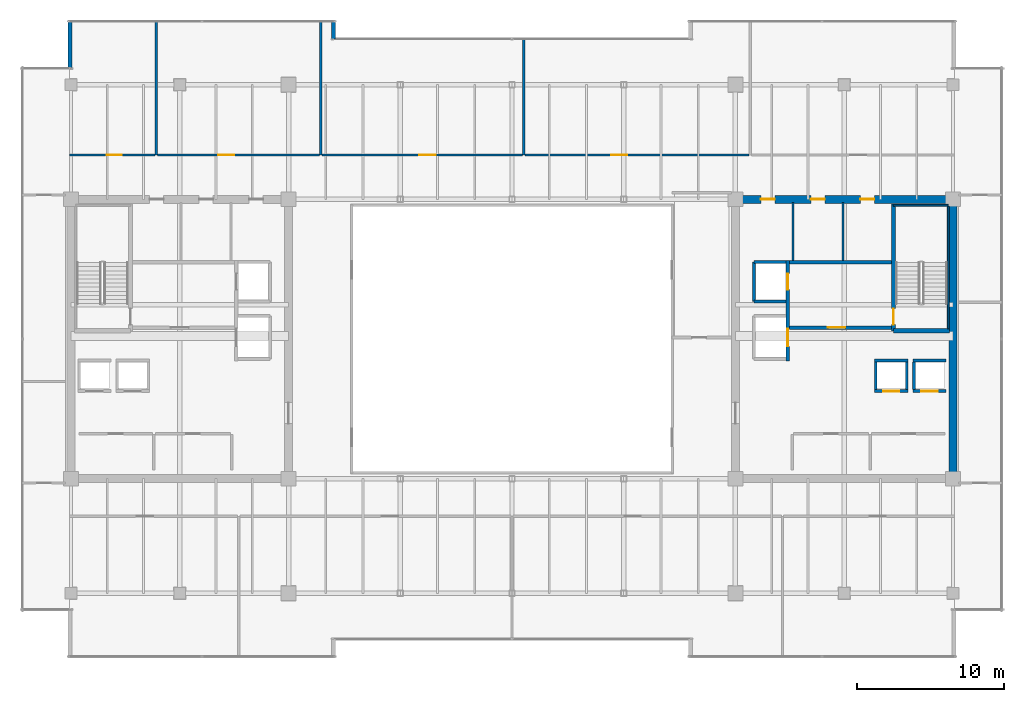
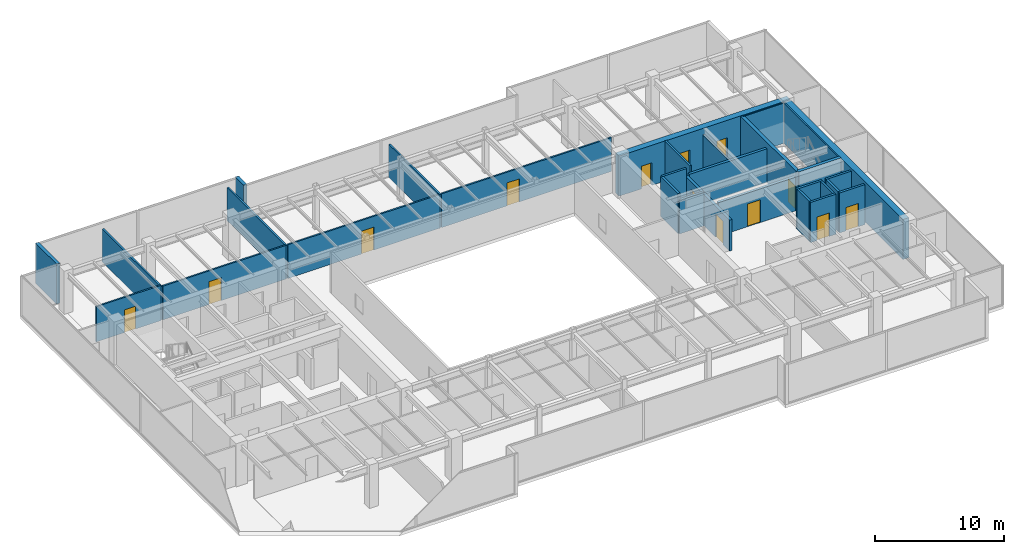
# One storey, part 30 of 36: 30 walls, 13 doors, 13 openings.
"""IFC4 building model written with IfcOpenShell, lengths in metres."""

from ifc_helpers import new_model, si_unit, direction, frame, frame_2d, origin, place, context, subcontext, project, spatial, rectangle, extrude, source, transform, mapped, material, layer, layer_set, type_object, type_shapes, element, fill, save


model = new_model("IFC4")

# Units and contexts
model_context = context("Model", 3, precision=1e-05, world=origin(), true_north=direction((0.0, 1.0)))
body_context = subcontext(model_context, "Body", "Model", "MODEL_VIEW")
ifc_project = project(units=[si_unit("LENGTHUNIT", "METRE"), si_unit("AREAUNIT", "SQUARE_METRE"), si_unit("VOLUMEUNIT", "CUBIC_METRE"), si_unit("PLANEANGLEUNIT", "RADIAN"), si_unit("MASSUNIT", "GRAM", prefix="KILO")], contexts=[model_context])

# Site, building, storey
site_placement = place(None, origin())
site = spatial("IfcSite", under=ifc_project, at=site_placement, CompositionType="ELEMENT")
building_placement = place(site_placement, origin())
building = spatial("IfcBuilding", under=site, at=building_placement, Name="Haelvirn Gate Laboratories", CompositionType="ELEMENT")
storey_placement = place(building_placement, frame((0.0, 0.0, 254.699951171875)))
storey = spatial("IfcBuildingStorey", under=building, at=storey_placement, Name="L61", CompositionType="ELEMENT", Elevation=254.699951171875)

# Walls
ifc_material_1 = material(Name="Thermally-broken bronze aluminium rainscreen & mineral wool", Category="aluminium")
ifc_layer_1 = layer(ifc_material_1, 0.280029296875, Name="EW-TERR-280")
ifc_layer_set_1 = layer_set([ifc_layer_1], Name="Thermally-broken bronze aluminium rainscreen & mineral wool")
wall_type_1 = type_object("IfcWallType", Name="EW-TERR-280", PredefinedType="STANDARD", material=ifc_layer_set_1)
wall_1_placement = place(storey_placement, frame((25.260009765625, 44.70703125, 0.0), z_axis=(0.0, 0.0, 1.0), x_axis=(0.0, 1.0, 0.0)))
element("IfcWall", 1, at=wall_1_placement, inside=storey, type_object=wall_type_1, Name="L61 Atrium Recess Bronze Return Wall 13", PredefinedType="STANDARD", context=body_context, shape_type="SweptSolid", body=[
    extrude(rectangle(XDim=1.29296875, YDim=0.280029296875, at=frame_2d((0.646484375, 0.0))), origin(), (0.0, 0.0, 1.0), 3.800048828125),
])
wall_2_placement = place(storey_placement, frame((7.340087890625, 46.0, 0.0), z_axis=(0.0, 0.0, 1.0), x_axis=(0.0, -1.0, 0.0)))
element("IfcWall", 2, at=wall_2_placement, inside=storey, type_object=wall_type_1, Name="L61 Atrium Recess Bronze Return Wall 15", PredefinedType="STANDARD", context=body_context, shape_type="SweptSolid", body=[
    extrude(rectangle(XDim=3.2880859375, YDim=0.280029296875, at=frame_2d((1.64404296875, 0.0))), origin(), (0.0, 0.0, 1.0), 3.800048828125),
])
ifc_material_2 = material(Name="Double-layer acoustic gypsum laboratory partition", Category="gypsum")
ifc_layer_2 = layer(ifc_material_2, 0.159912109375, Name="IW-ACOUST-160")
ifc_layer_set_2 = layer_set([ifc_layer_2], Name="Double-layer acoustic gypsum laboratory partition")
wall_type_2 = type_object("IfcWallType", Name="IW-ACOUST-160", PredefinedType="PARTITIONING", material=ifc_layer_set_2)
for number, where, z_axis, x_axis, name in (
    (3, (13.199951171875, 36.81005859375, 0.0), (0.0, 0.0, 1.0), (0.0, 1.0, 0.0), "L61 Interior Wall IW-L61-NDIV-01"),
    (4, (24.39990234375, 36.81005859375, 0.0), (0.0, 0.0, 1.0), (0.0, 1.0, 0.0), "L61 Interior Wall IW-L61-NDIV-02"),
):
    element("IfcWall", number, at=place(storey_placement, frame(where, z_axis=z_axis, x_axis=x_axis)), inside=storey, type_object=wall_type_2, Name=name, PredefinedType="PARTITIONING", context=body_context, shape_type="SweptSolid", body=[
        extrude(rectangle(XDim=9.079833984375, YDim=0.159912109375, at=frame_2d((4.5400390625, 0.0))), origin(), (0.0, 0.0, 1.0), 3.135009765625),
    ])
wall_3_placement = place(storey_placement, frame((38.199951171875, 36.81005859375, 0.0), z_axis=(0.0, 0.0, 1.0), x_axis=(0.0, 1.0, 0.0)))
element("IfcWall", 5, at=wall_3_placement, inside=storey, type_object=wall_type_2, Name="L61 Interior Wall IW-L61-NDIV-03", PredefinedType="PARTITIONING", context=body_context, shape_type="SweptSolid", body=[
    extrude(rectangle(XDim=7.8798828125, YDim=0.159912109375, at=frame_2d((3.93994140625, 0.0))), origin(), (0.0, 0.0, 1.0), 3.135009765625),
])

# Wall, opening, door
ifc_material_3 = material(Name="Acoustic mineral-wool gypsum board partition", Category="gypsum")
ifc_layer_3 = layer(ifc_material_3, 0.139892578125, Name="IW-PART-140")
ifc_layer_set_3 = layer_set([ifc_layer_3], Name="Acoustic mineral-wool gypsum board partition")
wall_type_3 = type_object("IfcWallType", Name="IW-PART-140", PredefinedType="PARTITIONING", material=ifc_layer_set_3)
wall_4_placement = place(storey_placement, frame((7.31005859375, 36.81005859375, 0.0), z_axis=(0.0, 0.0, 1.0), x_axis=(1.0, 0.0, 0.0)))
wall_4 = element("IfcWall", 6, at=wall_4_placement, inside=storey, type_object=wall_type_3, Name="L61 Interior Wall IW-L61-NCORR-01", PredefinedType="PARTITIONING", context=body_context, shape_type="SweptSolid", body=[
    extrude(rectangle(XDim=5.81005859375, YDim=0.139892578125, at=frame_2d((2.905029296875, 0.0))), origin(), (0.0, 0.0, 1.0), 3.3349609375),
])
opening_1_placement = place(wall_4_placement, frame((2.5283203125, 0.0, 0.0)))
opening_1 = element("IfcOpeningElement", 7, at=opening_1_placement, cuts=wall_4, Name="Opening D2", PredefinedType="OPENING", context=body_context, shape_type="SweptSolid", body=[
    extrude(rectangle(XDim=1.0, YDim=2.14990234375, at=frame_2d((0.5, 1.074951171875))), frame((0.0, 0.080078125, 0.0), z_axis=(0.0, -1.0, 0.0), x_axis=(1.0, 0.0, 0.0)), (0.0, 0.0, 1.0), 0.159912109375),
])
ifc_material_4 = material(Name="Acoustic solid-core timber suite door", Category="wood")
door_type_1 = type_object("IfcDoorType", Name="DR-INT-1000", OperationType="NOTDEFINED", PredefinedType="DOOR", material=ifc_material_4)
shared_shape_1 = source(origin(), body_context, "Body", "SweptSolid", [
    extrude(rectangle(XDim=1.0, YDim=2.14990234375, at=frame_2d((0.5, 1.074951171875))), frame((0.0, 0.02490234375, 0.0), z_axis=(0.0, -1.0, 0.0), x_axis=(1.0, 0.0, 0.0)), (0.0, 0.0, 1.0), 0.050048828125),
])
type_shapes(door_type_1, [shared_shape_1])
door_1_placement = place(opening_1_placement, origin())
door_1 = element("IfcDoor", 8, at=door_1_placement, inside=storey, type_object=door_type_1, Name="L61 Translational Data Office Door N1", OperationType="SINGLE_SWING_LEFT", OverallHeight=2.14990234375, OverallWidth=1.0, PredefinedType="DOOR", context=body_context, shape_type="MappedRepresentation", body=[
    mapped(shared_shape_1, transform((0.0, 0.0, 0.0), scale=1.0)),
])
fill(opening_1, door_1)

wall_5_placement = place(storey_placement, frame((13.280029296875, 36.81005859375, 0.0), z_axis=(0.0, 0.0, 1.0), x_axis=(1.0, 0.0, 0.0)))
wall_5 = element("IfcWall", 9, at=wall_5_placement, inside=storey, type_object=wall_type_3, Name="L61 Interior Wall IW-L61-NCORR-02", PredefinedType="PARTITIONING", context=body_context, shape_type="SweptSolid", body=[
    extrude(rectangle(XDim=11.0400390625, YDim=0.139892578125, at=frame_2d((5.52001953125, 0.0))), origin(), (0.0, 0.0, 1.0), 3.197021484375),
])
opening_2_placement = place(wall_5_placement, frame((4.138427734375, 0.0, 0.0)))
opening_2 = element("IfcOpeningElement", 10, at=opening_2_placement, cuts=wall_5, Name="Opening D1", PredefinedType="OPENING", context=body_context, shape_type="SweptSolid", body=[
    extrude(rectangle(XDim=1.10009765625, YDim=2.179931640625, at=frame_2d((0.550048828125, 1.08984375))), frame((0.0, 0.080078125, 0.0), z_axis=(0.0, -1.0, 0.0), x_axis=(1.0, 0.0, 0.0)), (0.0, 0.0, 1.0), 0.159912109375),
])
ifc_material_5 = material(Name="Vision-panel acoustic solid-core timber lab door", Category="wood")
door_type_2 = type_object("IfcDoorType", Name="DR-LAB-1100", OperationType="NOTDEFINED", PredefinedType="DOOR", material=ifc_material_5)
shared_shape_2 = source(origin(), body_context, "Body", "SweptSolid", [
    extrude(rectangle(XDim=1.10009765625, YDim=2.179931640625, at=frame_2d((0.550048828125, 1.08984375))), frame((0.0, 0.02490234375, 0.0), z_axis=(0.0, -1.0, 0.0), x_axis=(1.0, 0.0, 0.0)), (0.0, 0.0, 1.0), 0.050048828125),
])
type_shapes(door_type_2, [shared_shape_2])
door_2_placement = place(opening_2_placement, origin())
door_2 = element("IfcDoor", 11, at=door_2_placement, inside=storey, type_object=door_type_2, Name="L61 Computational Write-Up Office Door N2", OperationType="SINGLE_SWING_RIGHT", OverallHeight=2.179931640625, OverallWidth=1.10009765625, PredefinedType="DOOR", context=body_context, shape_type="MappedRepresentation", body=[
    mapped(shared_shape_2, transform((0.0, 0.0, 0.0), scale=1.0)),
])
fill(opening_2, door_2)

wall_6_placement = place(storey_placement, frame((24.47998046875, 36.81005859375, 0.0), z_axis=(0.0, 0.0, 1.0), x_axis=(1.0, 0.0, 0.0)))
wall_6 = element("IfcWall", 12, at=wall_6_placement, inside=storey, type_object=wall_type_3, Name="L61 Interior Wall IW-L61-NCORR-03", PredefinedType="PARTITIONING", context=body_context, shape_type="SweptSolid", body=[
    extrude(rectangle(XDim=13.64013671875, YDim=0.139892578125, at=frame_2d((6.820068359375, 0.0))), origin(), (0.0, 0.0, 1.0), 3.197021484375),
])
opening_3_placement = place(wall_6_placement, frame((6.625244140625, 0.0, 0.0)))
opening_3 = element("IfcOpeningElement", 13, at=opening_3_placement, cuts=wall_6, Name="Opening D1", PredefinedType="OPENING", context=body_context, shape_type="SweptSolid", body=[
    extrude(rectangle(XDim=1.10009765625, YDim=2.179931640625, at=frame_2d((0.550048828125, 1.08984375))), frame((0.0, 0.080078125, 0.0), z_axis=(0.0, -1.0, 0.0), x_axis=(1.0, 0.0, 0.0)), (0.0, 0.0, 1.0), 0.159912109375),
])
door_3_placement = place(opening_3_placement, origin())
door_3 = element("IfcDoor", 14, at=door_3_placement, inside=storey, type_object=door_type_2, Name="L61 Colloquium Conference Room Door N3", OperationType="SINGLE_SWING_LEFT", OverallHeight=2.179931640625, OverallWidth=1.10009765625, PredefinedType="DOOR", context=body_context, shape_type="MappedRepresentation", body=[
    mapped(shared_shape_2, transform((0.0, 0.0, 0.0), scale=1.0)),
])
fill(opening_3, door_3)

wall_7_placement = place(storey_placement, frame((38.280029296875, 36.81005859375, 0.0), z_axis=(0.0, 0.0, 1.0), x_axis=(1.0, 0.0, 0.0)))
wall_7 = element("IfcWall", 15, at=wall_7_placement, inside=storey, type_object=wall_type_3, Name="L61 Interior Wall IW-L61-NCORR-04", PredefinedType="PARTITIONING", context=body_context, shape_type="SweptSolid", body=[
    extrude(rectangle(XDim=15.239990234375, YDim=0.139892578125, at=frame_2d((7.6201171875, 0.0))), origin(), (0.0, 0.0, 1.0), 3.197021484375),
])
opening_4_placement = place(wall_7_placement, frame((5.8603515625, 0.0, 0.0)))
opening_4 = element("IfcOpeningElement", 16, at=opening_4_placement, cuts=wall_7, Name="Opening D1", PredefinedType="OPENING", context=body_context, shape_type="SweptSolid", body=[
    extrude(rectangle(XDim=1.10009765625, YDim=2.179931640625, at=frame_2d((0.550048828125, 1.08984375))), frame((0.0, 0.080078125, 0.0), z_axis=(0.0, -1.0, 0.0), x_axis=(1.0, 0.0, 0.0)), (0.0, 0.0, 1.0), 0.159912109375),
])
door_4_placement = place(opening_4_placement, origin())
door_4 = element("IfcDoor", 17, at=door_4_placement, inside=storey, type_object=door_type_2, Name="L61 Protocol Briefing Training Room Door N4", OperationType="SINGLE_SWING_RIGHT", OverallHeight=2.179931640625, OverallWidth=1.10009765625, PredefinedType="DOOR", context=body_context, shape_type="MappedRepresentation", body=[
    mapped(shared_shape_2, transform((0.0, 0.0, 0.0), scale=1.0)),
])
fill(opening_4, door_4)

# Walls
ifc_material_6 = material(Name="Cement-board restroom plumbing chase wall", Category="gypsum")
ifc_layer_4 = layer(ifc_material_6, 0.155029296875, Name="IW-PLUMB-160")
ifc_layer_set_4 = layer_set([ifc_layer_4], Name="Cement-board restroom plumbing chase wall")
wall_type_4 = type_object("IfcWallType", Name="IW-PLUMB-160", PredefinedType="PLUMBINGWALL", material=ifc_layer_set_4)
wall_8_placement = place(storey_placement, frame((59.909912109375, 29.64990234375, 0.0), z_axis=(0.0, 0.0, 1.0), x_axis=(0.0, 1.0, 0.0)))
element("IfcWall", 18, at=wall_8_placement, inside=storey, type_object=wall_type_4, Name="L61 Interior Wall IW-L61-E-CDIV-1", PredefinedType="PLUMBINGWALL", context=body_context, shape_type="SweptSolid", body=[
    extrude(rectangle(XDim=3.93017578125, YDim=0.155029296875, at=frame_2d((1.965087890625, 0.0))), origin(), (0.0, 0.0, 1.0), 3.197021484375),
])
wall_9_placement = place(storey_placement, frame((56.510009765625, 29.64990234375, 0.0), z_axis=(0.0, 0.0, 1.0), x_axis=(0.0, 1.0, 0.0)))
element("IfcWall", 19, at=wall_9_placement, inside=storey, type_object=wall_type_4, Name="L61 Interior Wall IW-L61-E-CDIV-2", PredefinedType="PLUMBINGWALL", context=body_context, shape_type="SweptSolid", body=[
    extrude(rectangle(XDim=3.93017578125, YDim=0.155029296875, at=frame_2d((1.965087890625, 0.0))), origin(), (0.0, 0.0, 1.0), 3.800048828125),
])
ifc_material_7 = material(Name="Concrete C40/50", Category="concrete")
ifc_layer_5 = layer(ifc_material_7, 0.179931640625, Name="IW-SHAFT-180")
ifc_layer_set_5 = layer_set([ifc_layer_5], Name="Concrete C40/50")
wall_type_5 = type_object("IfcWallType", Name="IW-SHAFT-180", PredefinedType="SOLIDWALL", material=ifc_layer_set_5)
for number, where, z_axis, x_axis, name in (
    (20, (64.75, 20.85009765625, 0.0), (0.0, 0.0, 1.0), (0.0, 1.0, 0.0), "L61 Interior Wall IW-L61-PL11-SD"),
    (21, (62.14990234375, 20.85009765625, 0.0), (0.0, 0.0, 1.0), (0.0, 1.0, 0.0), "L61 Interior Wall IW-L61-PL12-SD"),
    (22, (64.25, 20.85009765625, 0.0), (0.0, 0.0, 1.0), (0.0, 1.0, 0.0), "L61 Interior Wall IW-L61-PL12-SDE"),
):
    element("IfcWall", number, at=place(storey_placement, frame(where, z_axis=z_axis, x_axis=x_axis)), inside=storey, type_object=wall_type_5, Name=name, PredefinedType="SOLIDWALL", context=body_context, shape_type="SweptSolid", body=[
        extrude(rectangle(XDim=1.89990234375, YDim=0.179931640625, at=frame_2d((0.949951171875, 0.0))), origin(), (0.0, 0.0, 1.0), 3.800048828125),
    ])

# Wall, opening, door
ifc_layer_6 = layer(ifc_material_7, 0.199951171875, Name="IW-SHAFT-200")
ifc_layer_set_6 = layer_set([ifc_layer_6], Name="Concrete C40/50")
wall_type_6 = type_object("IfcWallType", Name="IW-SHAFT-200", PredefinedType="SOLIDWALL", material=ifc_layer_set_6)
wall_10_placement = place(storey_placement, frame((64.669921875, 20.75, 0.0), z_axis=(0.0, 0.0, 1.0), x_axis=(1.0, 0.0, 0.0)))
wall_10 = element("IfcWall", 23, at=wall_10_placement, inside=storey, type_object=wall_type_6, Name="L61 Interior Wall IW-L61-PL11-FR", PredefinedType="SOLIDWALL", context=body_context, shape_type="SweptSolid", body=[
    extrude(rectangle(XDim=2.260009765625, YDim=0.199951171875, at=frame_2d((1.1298828125, 0.0))), origin(), (0.0, 0.0, 1.0), 3.800048828125),
])
opening_5_placement = place(wall_10_placement, frame((0.580078125, 0.0, 0.0)))
opening_5 = element("IfcOpeningElement", 24, at=opening_5_placement, cuts=wall_10, Name="Opening LD2", PredefinedType="OPENING", context=body_context, shape_type="SweptSolid", body=[
    extrude(rectangle(XDim=1.10009765625, YDim=2.219970703125, at=frame_2d((0.550048828125, 1.10986328125))), frame((0.0, 0.10986328125, 0.0), z_axis=(0.0, -1.0, 0.0), x_axis=(1.0, 0.0, 0.0)), (0.0, 0.0, 1.0), 0.219970703125),
])
ifc_material_8 = material(Name="Bronze stainless 316L sliding lift landing door")
door_type_3 = type_object("IfcDoorType", Name="DR-LD-1100", OperationType="NOTDEFINED", PredefinedType="USERDEFINED", material=ifc_material_8)
shared_shape_3 = source(origin(), body_context, "Body", "SweptSolid", [
    extrude(rectangle(XDim=1.10009765625, YDim=2.219970703125, at=frame_2d((0.550048828125, 1.10986328125))), frame((0.0, 0.02490234375, 0.0), z_axis=(0.0, -1.0, 0.0), x_axis=(1.0, 0.0, 0.0)), (0.0, 0.0, 1.0), 0.050048828125),
])
type_shapes(door_type_3, [shared_shape_3])
door_5_placement = place(opening_5_placement, origin())
door_5 = element("IfcDoor", 25, at=door_5_placement, inside=storey, type_object=door_type_3, Name="L61 Passenger Lift PL11 Landing Door", ObjectType="LANDING_DOOR", OperationType="SLIDING_TO_LEFT", OverallHeight=2.219970703125, OverallWidth=1.10009765625, PredefinedType="USERDEFINED", context=body_context, shape_type="MappedRepresentation", body=[
    mapped(shared_shape_3, transform((0.0, 0.0, 0.0), scale=1.0)),
])
fill(opening_5, door_5)

# Wall
wall_11_placement = place(storey_placement, frame((64.669921875, 22.85009765625, 0.0), z_axis=(0.0, 0.0, 1.0), x_axis=(1.0, 0.0, 0.0)))
element("IfcWall", 26, at=wall_11_placement, inside=storey, type_object=wall_type_6, Name="L61 Interior Wall IW-L61-PL11-BK", PredefinedType="SOLIDWALL", context=body_context, shape_type="SweptSolid", body=[
    extrude(rectangle(XDim=2.260009765625, YDim=0.199951171875, at=frame_2d((1.1298828125, 0.0))), origin(), (0.0, 0.0, 1.0), 3.800048828125),
])

# Wall, opening, door
wall_12_placement = place(storey_placement, frame((62.070068359375, 20.75, 0.0), z_axis=(0.0, 0.0, 1.0), x_axis=(1.0, 0.0, 0.0)))
wall_12 = element("IfcWall", 27, at=wall_12_placement, inside=storey, type_object=wall_type_6, Name="L61 Interior Wall IW-L61-PL12-FR", PredefinedType="SOLIDWALL", context=body_context, shape_type="SweptSolid", body=[
    extrude(rectangle(XDim=2.260009765625, YDim=0.199951171875, at=frame_2d((1.1298828125, 0.0))), origin(), (0.0, 0.0, 1.0), 3.800048828125),
])
opening_6_placement = place(wall_12_placement, frame((0.580078125, 0.0, 0.0)))
opening_6 = element("IfcOpeningElement", 28, at=opening_6_placement, cuts=wall_12, Name="Opening LD2", PredefinedType="OPENING", context=body_context, shape_type="SweptSolid", body=[
    extrude(rectangle(XDim=1.10009765625, YDim=2.219970703125, at=frame_2d((0.550048828125, 1.10986328125))), frame((0.0, 0.10986328125, 0.0), z_axis=(0.0, -1.0, 0.0), x_axis=(1.0, 0.0, 0.0)), (0.0, 0.0, 1.0), 0.219970703125),
])
door_6_placement = place(opening_6_placement, origin())
door_6 = element("IfcDoor", 29, at=door_6_placement, inside=storey, type_object=door_type_3, Name="L61 Passenger Lift PL12 Landing Door", ObjectType="LANDING_DOOR", OperationType="SLIDING_TO_RIGHT", OverallHeight=2.219970703125, OverallWidth=1.10009765625, PredefinedType="USERDEFINED", context=body_context, shape_type="MappedRepresentation", body=[
    mapped(shared_shape_3, transform((0.0, 0.0, 0.0), scale=1.0)),
])
fill(opening_6, door_6)

# Walls
wall_13_placement = place(storey_placement, frame((62.070068359375, 22.85009765625, 0.0), z_axis=(0.0, 0.0, 1.0), x_axis=(1.0, 0.0, 0.0)))
element("IfcWall", 30, at=wall_13_placement, inside=storey, type_object=wall_type_6, Name="L61 Interior Wall IW-L61-PL12-BK", PredefinedType="SOLIDWALL", context=body_context, shape_type="SweptSolid", body=[
    extrude(rectangle(XDim=2.260009765625, YDim=0.199951171875, at=frame_2d((1.1298828125, 0.0))), origin(), (0.0, 0.0, 1.0), 3.800048828125),
])
wall_14_placement = place(storey_placement, frame((53.85009765625, 26.85009765625, 0.0), z_axis=(0.0, 0.0, 1.0), x_axis=(0.0, 1.0, 0.0)))
element("IfcWall", 31, at=wall_14_placement, inside=storey, type_object=wall_type_6, Name="L61 Interior Wall IW-L61-FL2-BK", PredefinedType="SOLIDWALL", context=body_context, shape_type="SweptSolid", body=[
    extrude(rectangle(XDim=2.699951171875, YDim=0.199951171875, at=frame_2d((1.35009765625, 0.0))), origin(), (0.0, 0.0, 1.0), 3.800048828125),
])
wall_15_placement = place(storey_placement, frame((53.85009765625, 29.550048828125, 0.0), z_axis=(0.0, 0.0, 1.0), x_axis=(1.0, 0.0, 0.0)))
element("IfcWall", 32, at=wall_15_placement, inside=storey, type_object=wall_type_6, Name="L61 Interior Wall IW-L61-FL2-N", PredefinedType="SOLIDWALL", context=body_context, shape_type="SweptSolid", body=[
    extrude(rectangle(XDim=2.18994140625, YDim=0.199951171875, at=frame_2d((1.094970703125, 0.0))), origin(), (0.0, 0.0, 1.0), 3.800048828125),
])
wall_16_placement = place(storey_placement, frame((53.85009765625, 26.85009765625, 0.0), z_axis=(0.0, 0.0, 1.0), x_axis=(1.0, 0.0, 0.0)))
element("IfcWall", 33, at=wall_16_placement, inside=storey, type_object=wall_type_6, Name="L61 Interior Wall IW-L61-FL2-S", PredefinedType="SOLIDWALL", context=body_context, shape_type="SweptSolid", body=[
    extrude(rectangle(XDim=2.18994140625, YDim=0.199951171875, at=frame_2d((1.094970703125, 0.0))), origin(), (0.0, 0.0, 1.0), 3.197021484375),
])

# Wall, opening, door
ifc_layer_7 = layer(ifc_material_7, 0.239990234375, Name="IW-SHAFT-240")
ifc_layer_set_7 = layer_set([ifc_layer_7], Name="Concrete C40/50")
wall_type_7 = type_object("IfcWallType", Name="IW-SHAFT-240", PredefinedType="SOLIDWALL", material=ifc_layer_set_7)
wall_17_placement = place(storey_placement, frame((56.280029296875, 25.080078125, 0.0), z_axis=(0.0, 0.0, 1.0), x_axis=(1.0, 0.0, 0.0)))
wall_17 = element("IfcWall", 34, at=wall_17_placement, inside=storey, type_object=wall_type_7, Name="L61 Interior Wall IW-L61-E-FF-S", PredefinedType="SOLIDWALL", context=body_context, shape_type="SweptSolid", body=[
    extrude(rectangle(XDim=6.919921875, YDim=0.239990234375, at=frame_2d((3.4599609375, 0.0))), origin(), (0.0, 0.0, 1.0), 3.197021484375),
])
opening_7_placement = place(wall_17_placement, frame((2.60009765625, 0.0, 0.0)))
opening_7 = element("IfcOpeningElement", 35, at=opening_7_placement, cuts=wall_17, Name="Opening FD2", PredefinedType="OPENING", context=body_context, shape_type="SweptSolid", body=[
    extrude(rectangle(XDim=1.199951171875, YDim=2.159912109375, at=frame_2d((0.60009765625, 1.080078125))), frame((0.0, 0.1298828125, 0.0), z_axis=(0.0, -1.0, 0.0), x_axis=(1.0, 0.0, 0.0)), (0.0, 0.0, 1.0), 0.260009765625),
])
ifc_material_9 = material(Name="Fire-rated steel SM355 compartment door", Category="steel")
door_type_4 = type_object("IfcDoorType", Name="DR-FD-1200", OperationType="NOTDEFINED", PredefinedType="DOOR", material=ifc_material_9)
shared_shape_4 = source(origin(), body_context, "Body", "SweptSolid", [
    extrude(rectangle(XDim=1.199951171875, YDim=2.159912109375, at=frame_2d((0.60009765625, 1.080078125))), frame((0.0, 0.02490234375, 0.0), z_axis=(0.0, -1.0, 0.0), x_axis=(1.0, 0.0, 0.0)), (0.0, 0.0, 1.0), 0.050048828125),
])
type_shapes(door_type_4, [shared_shape_4])
door_7_placement = place(opening_7_placement, origin())
door_7 = element("IfcDoor", 36, at=door_7_placement, inside=storey, type_object=door_type_4, Name="L61 East Firefighting Lobby Door", OperationType="SINGLE_SWING_LEFT", OverallHeight=2.159912109375, OverallWidth=1.199951171875, PredefinedType="DOOR", context=body_context, shape_type="MappedRepresentation", body=[
    mapped(shared_shape_4, transform((0.0, 0.0, 0.0), scale=1.0)),
])
fill(opening_7, door_7)

# Wall
wall_18_placement = place(storey_placement, frame((56.280029296875, 29.52001953125, 0.0), z_axis=(0.0, 0.0, 1.0), x_axis=(1.0, 0.0, 0.0)))
element("IfcWall", 37, at=wall_18_placement, inside=storey, type_object=wall_type_7, Name="L61 Interior Wall IW-L61-E-FF-N", PredefinedType="SOLIDWALL", context=body_context, shape_type="SweptSolid", body=[
    extrude(rectangle(XDim=6.919921875, YDim=0.239990234375, at=frame_2d((3.4599609375, 0.0))), origin(), (0.0, 0.0, 1.0), 3.197021484375),
])

# Wall, openings, doors
wall_19_placement = place(storey_placement, frame((56.159912109375, 22.800048828125, 0.0), z_axis=(0.0, 0.0, 1.0), x_axis=(0.0, 1.0, 0.0)))
wall_19 = element("IfcWall", 38, at=wall_19_placement, inside=storey, type_object=wall_type_7, Name="L61 Interior Wall IW-L61-E-FF-E", PredefinedType="SOLIDWALL", context=body_context, shape_type="SweptSolid", body=[
    extrude(rectangle(XDim=6.849853515625, YDim=0.239990234375, at=frame_2d((3.4248046875, 0.0))), origin(), (0.0, 0.0, 1.0), 2.93505859375),
])
opening_8_placement = place(wall_19_placement, frame((4.85009765625, 0.0, 0.0)))
opening_8 = element("IfcOpeningElement", 39, at=opening_8_placement, cuts=wall_19, Name="Opening LD2", PredefinedType="OPENING", context=body_context, shape_type="SweptSolid", body=[
    extrude(rectangle(XDim=1.10009765625, YDim=2.219970703125, at=frame_2d((0.550048828125, 1.10986328125))), frame((0.0, 0.1298828125, 0.0), z_axis=(0.0, -1.0, 0.0), x_axis=(1.0, 0.0, 0.0)), (0.0, 0.0, 1.0), 0.260009765625),
])
opening_9_placement = place(wall_19_placement, frame((1.0, 0.0, 0.0)))
opening_9 = element("IfcOpeningElement", 40, at=opening_9_placement, cuts=wall_19, Name="Opening LD1", PredefinedType="OPENING", context=body_context, shape_type="SweptSolid", body=[
    extrude(rectangle(XDim=1.199951171875, YDim=2.219970703125, at=frame_2d((0.60009765625, 1.10986328125))), frame((0.0, 0.1298828125, 0.0), z_axis=(0.0, -1.0, 0.0), x_axis=(1.0, 0.0, 0.0)), (0.0, 0.0, 1.0), 0.260009765625),
])
door_8_placement = place(opening_8_placement, origin())
door_8 = element("IfcDoor", 41, at=door_8_placement, inside=storey, type_object=door_type_3, Name="L61 Firefighting Lift FL2 Landing Door", ObjectType="LANDING_DOOR", OperationType="SLIDING_TO_RIGHT", OverallHeight=2.219970703125, OverallWidth=1.10009765625, PredefinedType="USERDEFINED", context=body_context, shape_type="MappedRepresentation", body=[
    mapped(shared_shape_3, transform((0.0, 0.0, 0.0), scale=1.0)),
])
fill(opening_8, door_8)
ifc_material_10 = material(Name="Stainless steel 316L sliding goods landing door", Category="steel")
door_type_5 = type_object("IfcDoorType", Name="DR-LD-1200", OperationType="NOTDEFINED", PredefinedType="USERDEFINED", material=ifc_material_10)
shared_shape_5 = source(origin(), body_context, "Body", "SweptSolid", [
    extrude(rectangle(XDim=1.199951171875, YDim=2.219970703125, at=frame_2d((0.60009765625, 1.10986328125))), frame((0.0, 0.02490234375, 0.0), z_axis=(0.0, -1.0, 0.0), x_axis=(1.0, 0.0, 0.0)), (0.0, 0.0, 1.0), 0.050048828125),
])
type_shapes(door_type_5, [shared_shape_5])
door_9_placement = place(opening_9_placement, origin())
door_9 = element("IfcDoor", 42, at=door_9_placement, inside=storey, type_object=door_type_5, Name="L61 Service Lift SL2 Landing Door", ObjectType="LANDING_DOOR", OperationType="SLIDING_TO_LEFT", OverallHeight=2.219970703125, OverallWidth=1.199951171875, PredefinedType="USERDEFINED", context=body_context, shape_type="MappedRepresentation", body=[
    mapped(shared_shape_5, transform((0.0, 0.0, 0.0), scale=1.0)),
])
fill(opening_9, door_9)

ifc_material_11 = material(Name="Concrete C50/60", Category="concrete")
ifc_layer_8 = layer(ifc_material_11, 0.550048828125, Name="SW-CORE-550")
ifc_layer_set_8 = layer_set([ifc_layer_8], Name="Concrete C50/60")
wall_type_8 = type_object("IfcWallType", Name="SW-CORE-550", PredefinedType="SHEAR", material=ifc_layer_set_8)
wall_20_placement = place(storey_placement, frame((52.324951171875, 33.800048828125, 0.0), z_axis=(0.0, 0.0, 1.0), x_axis=(1.0, 0.0, 0.0)))
wall_20 = element("IfcWall", 43, at=wall_20_placement, inside=storey, type_object=wall_type_8, Name="L61 E Core Shear Wall N", PredefinedType="SHEAR", context=body_context, shape_type="SweptSolid", body=[
    extrude(rectangle(XDim=15.35009765625, YDim=0.550048828125, at=frame_2d((7.675048828125, 0.0))), origin(), (0.0, 0.0, 1.0), 3.800048828125),
])
opening_10_placement = place(wall_20_placement, frame((8.77490234375, 0.0, 0.0)))
opening_10 = element("IfcOpeningElement", 44, at=opening_10_placement, cuts=wall_20, Name="Opening FD4", PredefinedType="OPENING", context=body_context, shape_type="SweptSolid", body=[
    extrude(rectangle(XDim=0.949951171875, YDim=2.14990234375, at=frame_2d((0.47509765625, 1.074951171875))), frame((0.0, 0.28515625, 0.0), z_axis=(0.0, -1.0, 0.0), x_axis=(1.0, 0.0, 0.0)), (0.0, 0.0, 1.0), 0.570068359375),
])
opening_11_placement = place(wall_20_placement, frame((5.409912109375, 0.0, 0.0)))
opening_11 = element("IfcOpeningElement", 45, at=opening_11_placement, cuts=wall_20, Name="Opening FD4", PredefinedType="OPENING", context=body_context, shape_type="SweptSolid", body=[
    extrude(rectangle(XDim=0.949951171875, YDim=2.14990234375, at=frame_2d((0.47509765625, 1.074951171875))), frame((0.0, 0.28515625, 0.0), z_axis=(0.0, -1.0, 0.0), x_axis=(1.0, 0.0, 0.0)), (0.0, 0.0, 1.0), 0.570068359375),
])
opening_12_placement = place(wall_20_placement, frame((2.010009765625, 0.0, 0.0)))
opening_12 = element("IfcOpeningElement", 46, at=opening_12_placement, cuts=wall_20, Name="Opening FD4", PredefinedType="OPENING", context=body_context, shape_type="SweptSolid", body=[
    extrude(rectangle(XDim=0.949951171875, YDim=2.14990234375, at=frame_2d((0.47509765625, 1.074951171875))), frame((0.0, 0.28515625, 0.0), z_axis=(0.0, -1.0, 0.0), x_axis=(1.0, 0.0, 0.0)), (0.0, 0.0, 1.0), 0.570068359375),
])
ifc_material_12 = material(Name="Fire-rated steel SM355 core service door", Category="steel")
door_type_6 = type_object("IfcDoorType", Name="DR-FD-950", OperationType="NOTDEFINED", PredefinedType="DOOR", material=ifc_material_12)
shared_shape_6 = source(origin(), body_context, "Body", "SweptSolid", [
    extrude(rectangle(XDim=0.949951171875, YDim=2.14990234375, at=frame_2d((0.47509765625, 1.074951171875))), frame((0.0, 0.02490234375, 0.0), z_axis=(0.0, -1.0, 0.0), x_axis=(1.0, 0.0, 0.0)), (0.0, 0.0, 1.0), 0.050048828125),
])
type_shapes(door_type_6, [shared_shape_6])
door_10_placement = place(opening_10_placement, origin())
door_10 = element("IfcDoor", 47, at=door_10_placement, inside=storey, type_object=door_type_6, Name="L61 Male Restroom Fire Door", OperationType="SINGLE_SWING_RIGHT", OverallHeight=2.14990234375, OverallWidth=0.949951171875, PredefinedType="DOOR", context=body_context, shape_type="MappedRepresentation", body=[
    mapped(shared_shape_6, transform((0.0, 0.0, 0.0), scale=1.0)),
])
fill(opening_10, door_10)
door_11_placement = place(opening_11_placement, origin())
door_11 = element("IfcDoor", 48, at=door_11_placement, inside=storey, type_object=door_type_6, Name="L61 Female Restroom Fire Door", OperationType="SINGLE_SWING_LEFT", OverallHeight=2.14990234375, OverallWidth=0.949951171875, PredefinedType="DOOR", context=body_context, shape_type="MappedRepresentation", body=[
    mapped(shared_shape_6, transform((0.0, 0.0, 0.0), scale=1.0)),
])
fill(opening_11, door_11)
door_12_placement = place(opening_12_placement, origin())
door_12 = element("IfcDoor", 49, at=door_12_placement, inside=storey, type_object=door_type_6, Name="L61 Accessible Restroom Fire Door", OperationType="SINGLE_SWING_RIGHT", OverallHeight=2.14990234375, OverallWidth=0.949951171875, PredefinedType="DOOR", context=body_context, shape_type="MappedRepresentation", body=[
    mapped(shared_shape_6, transform((0.0, 0.0, 0.0), scale=1.0)),
])
fill(opening_12, door_12)

# Walls
wall_21_placement = place(storey_placement, frame((67.39990234375, 15.074951171875, 0.0), z_axis=(0.0, 0.0, 1.0), x_axis=(0.0, 1.0, 0.0)))
element("IfcWall", 50, at=wall_21_placement, inside=storey, type_object=wall_type_8, Name="L61 E Core Shear Wall E", PredefinedType="SHEAR", context=body_context, shape_type="SweptSolid", body=[
    extrude(rectangle(XDim=18.449951171875, YDim=0.550048828125, at=frame_2d((9.22509765625, 0.0))), origin(), (0.0, 0.0, 1.0), 3.800048828125),
])
ifc_layer_9 = layer(ifc_material_11, 0.1201171875, Name="SW-LINER-120")
ifc_layer_set_9 = layer_set([ifc_layer_9], Name="Concrete C50/60")
wall_type_9 = type_object("IfcWallType", Name="SW-LINER-120", PredefinedType="SOLIDWALL", material=ifc_layer_set_9)
wall_22_placement = place(storey_placement, frame((63.35009765625, 33.39990234375, 0.0), z_axis=(0.0, 0.0, 1.0), x_axis=(1.0, 0.0, 0.0)))
element("IfcWall", 51, at=wall_22_placement, inside=storey, type_object=wall_type_9, Name="L61 E Core Stair Shaft Liner Wall N", PredefinedType="SOLIDWALL", context=body_context, shape_type="SweptSolid", body=[
    extrude(rectangle(XDim=3.719970703125, YDim=0.1201171875, at=frame_2d((1.85986328125, 0.0))), origin(), (0.0, 0.0, 1.0), 3.800048828125),
])
wall_23_placement = place(storey_placement, frame((67.070068359375, 25.0, 0.0), z_axis=(0.0, 0.0, 1.0), x_axis=(0.0, 1.0, 0.0)))
element("IfcWall", 52, at=wall_23_placement, inside=storey, type_object=wall_type_9, Name="L61 E Core Stair Shaft Liner Wall OUT", PredefinedType="SOLIDWALL", context=body_context, shape_type="SweptSolid", body=[
    extrude(rectangle(XDim=8.320068359375, YDim=0.1201171875, at=frame_2d((4.16015625, 0.0))), origin(), (0.0, 0.0, 1.0), 3.800048828125),
])

# Wall, opening, door
ifc_layer_10 = layer(ifc_material_11, 0.300048828125, Name="SW-STAIR-300")
ifc_layer_set_10 = layer_set([ifc_layer_10], Name="Concrete C50/60")
wall_type_10 = type_object("IfcWallType", Name="SW-STAIR-300", PredefinedType="SHEAR", material=ifc_layer_set_10)
wall_24_placement = place(storey_placement, frame((63.35009765625, 24.85009765625, 0.0), z_axis=(0.0, 0.0, 1.0), x_axis=(0.0, 1.0, 0.0)))
wall_24 = element("IfcWall", 53, at=wall_24_placement, inside=storey, type_object=wall_type_10, Name="L61 E Core Stair Shaft Structural Wall IN", PredefinedType="SHEAR", context=body_context, shape_type="SweptSolid", body=[
    extrude(rectangle(XDim=8.6298828125, YDim=0.300048828125, at=frame_2d((4.31494140625, 0.0))), origin(), (0.0, 0.0, 1.0), 3.800048828125),
])
opening_13_placement = place(wall_24_placement, frame((0.419921875, 0.0, 0.0)))
opening_13 = element("IfcOpeningElement", 54, at=opening_13_placement, cuts=wall_24, Name="Opening FD3", PredefinedType="OPENING", context=body_context, shape_type="SweptSolid", body=[
    extrude(rectangle(XDim=1.10009765625, YDim=2.14990234375, at=frame_2d((0.550048828125, 1.074951171875))), frame((0.0, 0.16015625, 0.0), z_axis=(0.0, -1.0, 0.0), x_axis=(1.0, 0.0, 0.0)), (0.0, 0.0, 1.0), 0.320068359375),
])
ifc_material_13 = material(Name="Fire-rated steel SM355 escape stair door", Category="steel")
door_type_7 = type_object("IfcDoorType", Name="DR-FD-1100", OperationType="NOTDEFINED", PredefinedType="DOOR", material=ifc_material_13)
shared_shape_7 = source(origin(), body_context, "Body", "SweptSolid", [
    extrude(rectangle(XDim=1.10009765625, YDim=2.14990234375, at=frame_2d((0.550048828125, 1.074951171875))), frame((0.0, 0.02490234375, 0.0), z_axis=(0.0, -1.0, 0.0), x_axis=(1.0, 0.0, 0.0)), (0.0, 0.0, 1.0), 0.050048828125),
])
type_shapes(door_type_7, [shared_shape_7])
door_13_placement = place(opening_13_placement, origin())
door_13 = element("IfcDoor", 55, at=door_13_placement, inside=storey, type_object=door_type_7, Name="L61 Escape Stair ST2 Fire Door", OperationType="SINGLE_SWING_RIGHT", OverallHeight=2.14990234375, OverallWidth=1.10009765625, PredefinedType="DOOR", context=body_context, shape_type="MappedRepresentation", body=[
    mapped(shared_shape_7, transform((0.0, 0.0, 0.0), scale=1.0)),
])
fill(opening_13, door_13)

# Wall
wall_25_placement = place(storey_placement, frame((63.35009765625, 24.85009765625, 0.0), z_axis=(0.0, 0.0, 1.0), x_axis=(1.0, 0.0, 0.0)))
element("IfcWall", 56, at=wall_25_placement, inside=storey, type_object=wall_type_10, Name="L61 E Core Stair Shaft Structural Wall S", PredefinedType="SHEAR", context=body_context, shape_type="SweptSolid", body=[
    extrude(rectangle(XDim=3.7998046875, YDim=0.300048828125, at=frame_2d((1.89990234375, 0.0))), origin(), (0.0, 0.0, 1.0), 3.800048828125),
])

save(model, "model.ifc")
